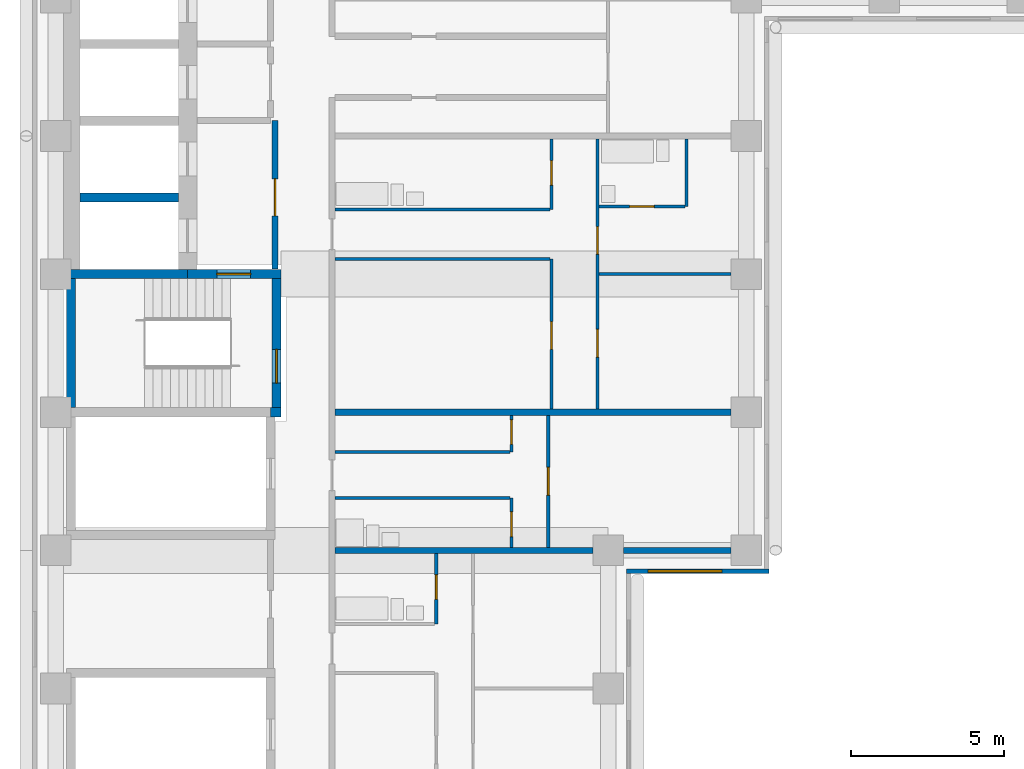
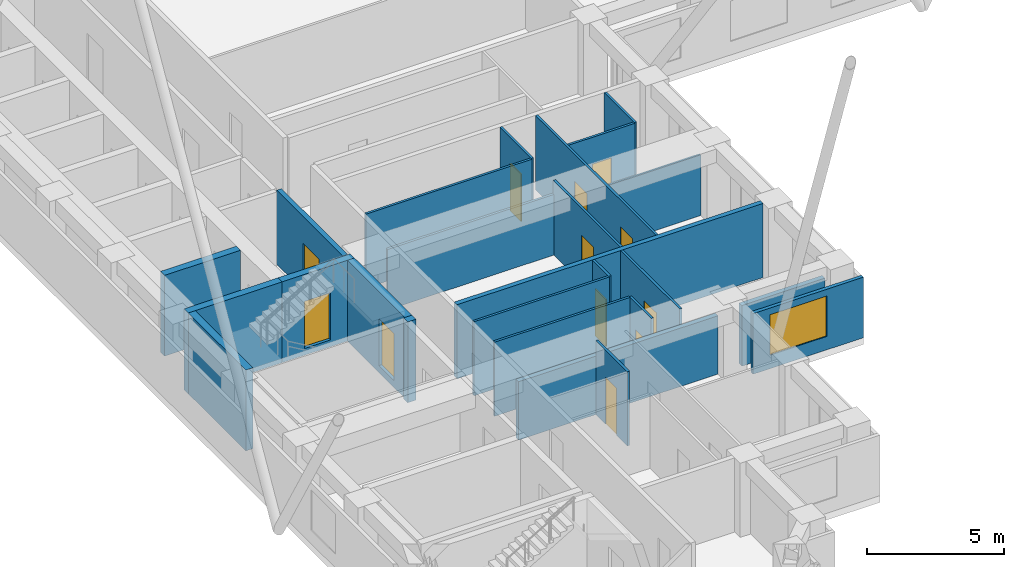
# One storey, part 4 of 13: 25 walls, 12 doors, 1 window, 13 openings.
"""IFC4 building model written with IfcOpenShell, lengths in metres."""

from ifc_helpers import new_model, si_unit, direction, frame, frame_2d, origin, place, context, subcontext, project, spatial, rectangle, extrude, material, layer, layer_set, type_object, element, fill, save


model = new_model("IFC4")

# Units and contexts
model_context = context("Model", 3, precision=1e-05, world=origin(), true_north=direction((0.0, 1.0)))
body_context = subcontext(model_context, "Body", "Model", "MODEL_VIEW")
ifc_project = project(units=[si_unit("LENGTHUNIT", "METRE"), si_unit("AREAUNIT", "SQUARE_METRE"), si_unit("VOLUMEUNIT", "CUBIC_METRE"), si_unit("PLANEANGLEUNIT", "RADIAN"), si_unit("MASSUNIT", "GRAM", prefix="KILO")], contexts=[model_context])

# Site, building, storey
site_placement = place(None, origin())
site = spatial("IfcSite", under=ifc_project, at=site_placement, CompositionType="ELEMENT")
building_placement = place(site_placement, origin())
building = spatial("IfcBuilding", under=site, at=building_placement, Name="Firuza Court", CompositionType="ELEMENT")
storey_placement = place(building_placement, frame((0.0, 0.0, 162.800048828125)))
storey = spatial("IfcBuildingStorey", under=building, at=storey_placement, Name="L41", CompositionType="ELEMENT", Elevation=162.800048828125)

# Walls
ifc_material_1 = material(Name="Moisture-resistant gypsum board partition")
ifc_layer_1 = layer(ifc_material_1, 0.10009765625)
ifc_layer_set_1 = layer_set([ifc_layer_1], Name="Moisture-resistant gypsum board partition")
wall_type_1 = type_object("IfcWallType", Name="Bathroom partition 100", PredefinedType="PLUMBINGWALL", material=ifc_layer_set_1)
wall_1_placement = place(storey_placement, frame((9.10009765625, 19.699951171875, 0.0), z_axis=(0.0, 0.0, 1.0), x_axis=(1.0, 0.0, 0.0)))
element("IfcWall", 1, at=wall_1_placement, inside=storey, type_object=wall_type_1, Name="Bathroom partition 100 L41", PredefinedType="PLUMBINGWALL", context=body_context, shape_type="SweptSolid", body=[
    extrude(rectangle(XDim=5.699951171875, YDim=0.10009765625, at=frame_2d((2.85009765625, 0.0))), origin(), (0.0, 0.0, 1.0), 3.300048828125),
])
wall_2_placement = place(storey_placement, frame((9.10009765625, 29.10009765625, 0.0), z_axis=(0.0, 0.0, 1.0), x_axis=(1.0, 0.0, 0.0)))
element("IfcWall", 2, at=wall_2_placement, inside=storey, type_object=wall_type_1, Name="Bathroom partition 100 L41", PredefinedType="PLUMBINGWALL", context=body_context, shape_type="SweptSolid", body=[
    extrude(rectangle(XDim=7.0, YDim=0.10009765625, at=frame_2d((3.5, 0.0))), origin(), (0.0, 0.0, 1.0), 3.300048828125),
])

# Wall, opening, door
wall_3_placement = place(storey_placement, frame((17.699951171875, 29.199951171875, 0.0), z_axis=(0.0, 0.0, 1.0), x_axis=(1.0, 0.0, 0.0)))
wall_3 = element("IfcWall", 3, at=wall_3_placement, inside=storey, type_object=wall_type_1, Name="Bathroom partition 100 L41", PredefinedType="PLUMBINGWALL", context=body_context, shape_type="SweptSolid", body=[
    extrude(rectangle(XDim=2.800048828125, YDim=0.10009765625, at=frame_2d((1.39990234375, 0.0))), origin(), (0.0, 0.0, 1.0), 3.300048828125),
])
opening_1_placement = place(wall_3_placement, frame((1.0, 0.0, 0.0)))
opening_1 = element("IfcOpeningElement", 4, at=opening_1_placement, cuts=wall_3, Name="Opening D41034", PredefinedType="OPENING", context=body_context, shape_type="SweptSolid", body=[
    extrude(rectangle(XDim=0.800048828125, YDim=2.10009765625, at=frame_2d((0.39990234375, 1.050048828125))), frame((0.0, 0.06201171875, 0.0), z_axis=(0.0, -1.0, 0.0), x_axis=(1.0, 0.0, 0.0)), (0.0, 0.0, 1.0), 0.1240234375),
])
ifc_material_2 = material(Name="Timber door leaf in hardwood frame", Category="wood")
door_type_1 = type_object("IfcDoorType", Name="Bathroom door 800", OperationType="SINGLE_SWING_LEFT", PredefinedType="DOOR", material=ifc_material_2)
door_1_placement = place(opening_1_placement, origin())
door_1 = element("IfcDoor", 5, at=door_1_placement, inside=storey, type_object=door_type_1, Name="En-suite door", OperationType="SINGLE_SWING_LEFT", OverallHeight=2.10009765625, OverallWidth=0.800048828125, PredefinedType="DOOR", context=body_context, shape_type="SweptSolid", body=[
    extrude(rectangle(XDim=0.800048828125, YDim=2.10009765625, at=frame_2d((0.39990234375, 1.050048828125))), frame((0.0, 0.02490234375, 0.0), z_axis=(0.0, -1.0, 0.0), x_axis=(1.0, 0.0, 0.0)), (0.0, 0.0, 1.0), 0.050048828125),
])
fill(opening_1, door_1)

# Walls
wall_4_placement = place(storey_placement, frame((20.550048828125, 29.199951171875, 0.0), z_axis=(0.0, 0.0, 1.0), x_axis=(0.0, 1.0, 0.0)))
element("IfcWall", 6, at=wall_4_placement, inside=storey, type_object=wall_type_1, Name="Bathroom partition 100 L41", PredefinedType="PLUMBINGWALL", context=body_context, shape_type="SweptSolid", body=[
    extrude(rectangle(XDim=2.199951171875, YDim=0.10009765625, at=frame_2d((1.10009765625, 0.0))), origin(), (0.0, 0.0, 1.0), 3.300048828125),
])
ifc_material_3 = material(Name="Concrete C60/75", Category="concrete")
ifc_layer_2 = layer(ifc_material_3, 0.300048828125)
ifc_layer_set_2 = layer_set([ifc_layer_2], Name="Concrete C60/75")
wall_type_2 = type_object("IfcWallType", Name="Core wall 300 C60/75", PredefinedType="SHEAR", material=ifc_layer_set_2)
wall_5_placement = place(storey_placement, frame((0.35009765625, 27.0, -0.300048828125), z_axis=(0.0, 0.0, 1.0), x_axis=(1.0, 0.0, 0.0)))
element("IfcWall", 7, at=wall_5_placement, inside=storey, type_object=wall_type_2, Name="Core wall lift shaft L41", PredefinedType="SHEAR", context=body_context, shape_type="SweptSolid", body=[
    extrude(rectangle(XDim=3.949951171875, YDim=0.300048828125, at=frame_2d((1.97509765625, 0.0))), origin(), (0.0, 0.0, 1.0), 3.60009765625),
])
wall_6_placement = place(storey_placement, frame((0.5, 22.64990234375, -0.300048828125), z_axis=(0.0, 0.0, 1.0), x_axis=(0.0, 1.0, 0.0)))
element("IfcWall", 8, at=wall_6_placement, inside=storey, type_object=wall_type_2, Name="Core wall stair L41", PredefinedType="SHEAR", context=body_context, shape_type="SweptSolid", body=[
    extrude(rectangle(XDim=4.2001953125, YDim=0.300048828125, at=frame_2d((2.10009765625, 0.0))), origin(), (0.0, 0.0, 1.0), 3.60009765625),
])
wall_7_placement = place(storey_placement, frame((0.800048828125, 29.5, -0.300048828125), z_axis=(0.0, 0.0, 1.0), x_axis=(1.0, 0.0, 0.0)))
element("IfcWall", 9, at=wall_7_placement, inside=storey, type_object=wall_type_2, Name="Core wall lift shaft L41", PredefinedType="SHEAR", context=body_context, shape_type="SweptSolid", body=[
    extrude(rectangle(XDim=3.199951171875, YDim=0.300048828125, at=frame_2d((1.60009765625, 0.0))), origin(), (0.0, 0.0, 1.0), 3.60009765625),
])

# Wall, opening, door
wall_8_placement = place(storey_placement, frame((4.300048828125, 27.0, -0.300048828125), z_axis=(0.0, 0.0, 1.0), x_axis=(1.0, 0.0, 0.0)))
wall_8 = element("IfcWall", 10, at=wall_8_placement, inside=storey, type_object=wall_type_2, Name="Core wall stair L41", PredefinedType="SHEAR", context=body_context, shape_type="SweptSolid", body=[
    extrude(rectangle(XDim=3.050048828125, YDim=0.300048828125, at=frame_2d((1.52490234375, 0.0))), origin(), (0.0, 0.0, 1.0), 3.60009765625),
])
opening_2_placement = place(wall_8_placement, frame((0.949951171875, 0.0, 0.300048828125)))
opening_2 = element("IfcOpeningElement", 11, at=opening_2_placement, cuts=wall_8, Name="Opening D41013", PredefinedType="OPENING", context=body_context, shape_type="SweptSolid", body=[
    extrude(rectangle(XDim=1.10009765625, YDim=2.10009765625, at=frame_2d((0.550048828125, 1.050048828125))), frame((0.0, 0.162109375, 0.0), z_axis=(0.0, -1.0, 0.0), x_axis=(1.0, 0.0, 0.0)), (0.0, 0.0, 1.0), 0.323974609375),
])
ifc_material_4 = material(Name="Timber door leaf in hardwood frame", Category="wood")
door_type_2 = type_object("IfcDoorType", Name="Stair door 1100", OperationType="SINGLE_SWING_LEFT", PredefinedType="DOOR", material=ifc_material_4)
door_2_placement = place(opening_2_placement, frame((1.10009765625, 0.0, 0.0), z_axis=(0.0, 0.0, 1.0), x_axis=(-1.0, 0.0, 0.0)))
door_2 = element("IfcDoor", 12, at=door_2_placement, inside=storey, type_object=door_type_2, Name="Fire-fighting lobby door", OperationType="SINGLE_SWING_LEFT", OverallHeight=2.10009765625, OverallWidth=1.10009765625, PredefinedType="DOOR", context=body_context, shape_type="SweptSolid", body=[
    extrude(rectangle(XDim=1.10009765625, YDim=2.10009765625, at=frame_2d((0.550048828125, 1.050048828125))), frame((0.0, 0.02490234375, 0.0), z_axis=(0.0, -1.0, 0.0), x_axis=(1.0, 0.0, 0.0)), (0.0, 0.0, 1.0), 0.050048828125),
])
fill(opening_2, door_2)

# Wall
wall_9_placement = place(storey_placement, frame((7.0, 22.5, -0.300048828125), z_axis=(0.0, 0.0, 1.0), x_axis=(1.0, 0.0, 0.0)))
element("IfcWall", 13, at=wall_9_placement, inside=storey, type_object=wall_type_2, Name="Core wall stair L41", PredefinedType="SHEAR", context=body_context, shape_type="SweptSolid", body=[
    extrude(rectangle(XDim=0.35009765625, YDim=0.300048828125, at=frame_2d((0.175048828125, 0.0))), origin(), (0.0, 0.0, 1.0), 3.60009765625),
])

# Wall, opening, door
wall_10_placement = place(storey_placement, frame((7.199951171875, 22.64990234375, -0.300048828125), z_axis=(0.0, 0.0, 1.0), x_axis=(0.0, 1.0, 0.0)))
wall_10 = element("IfcWall", 14, at=wall_10_placement, inside=storey, type_object=wall_type_2, Name="Core wall stair L41", PredefinedType="SHEAR", context=body_context, shape_type="SweptSolid", body=[
    extrude(rectangle(XDim=4.2001953125, YDim=0.300048828125, at=frame_2d((2.10009765625, 0.0))), origin(), (0.0, 0.0, 1.0), 3.60009765625),
])
opening_3_placement = place(wall_10_placement, frame((0.800048828125, 0.0, 0.300048828125)))
opening_3 = element("IfcOpeningElement", 15, at=opening_3_placement, cuts=wall_10, Name="Opening D41014", PredefinedType="OPENING", context=body_context, shape_type="SweptSolid", body=[
    extrude(rectangle(XDim=1.10009765625, YDim=2.10009765625, at=frame_2d((0.550048828125, 1.050048828125))), frame((0.0, 0.162109375, 0.0), z_axis=(0.0, -1.0, 0.0), x_axis=(1.0, 0.0, 0.0)), (0.0, 0.0, 1.0), 0.323974609375),
])
door_3_placement = place(opening_3_placement, origin())
door_3 = element("IfcDoor", 16, at=door_3_placement, inside=storey, type_object=door_type_2, Name="Stair door S2", OperationType="SINGLE_SWING_LEFT", OverallHeight=2.10009765625, OverallWidth=1.10009765625, PredefinedType="DOOR", context=body_context, shape_type="SweptSolid", body=[
    extrude(rectangle(XDim=1.10009765625, YDim=2.10009765625, at=frame_2d((0.550048828125, 1.050048828125))), frame((0.0, 0.02490234375, 0.0), z_axis=(0.0, -1.0, 0.0), x_axis=(1.0, 0.0, 0.0)), (0.0, 0.0, 1.0), 0.050048828125),
])
fill(opening_3, door_3)

ifc_material_5 = material(Name="Timber stud partition, plasterboard both sides", Category="wood")
ifc_layer_3 = layer(ifc_material_5, 0.10009765625)
ifc_layer_set_3 = layer_set([ifc_layer_3], Name="Timber stud partition, plasterboard both sides")
wall_type_3 = type_object("IfcWallType", Name="Partition wall 100", PredefinedType="PARTITIONING", material=ifc_layer_set_3)
wall_11_placement = place(storey_placement, frame((12.39990234375, 15.60009765625, 0.0), z_axis=(0.0, 0.0, 1.0), x_axis=(0.0, 1.0, 0.0)))
wall_11 = element("IfcWall", 17, at=wall_11_placement, inside=storey, type_object=wall_type_3, Name="Partition wall 100 L41", PredefinedType="PARTITIONING", context=body_context, shape_type="SweptSolid", body=[
    extrude(rectangle(XDim=2.2998046875, YDim=0.10009765625, at=frame_2d((1.14990234375, 0.0))), origin(), (0.0, 0.0, 1.0), 3.300048828125),
])
opening_4_placement = place(wall_11_placement, frame((0.800048828125, 0.0, 0.0)))
opening_4 = element("IfcOpeningElement", 18, at=opening_4_placement, cuts=wall_11, Name="Opening D41026", PredefinedType="OPENING", context=body_context, shape_type="SweptSolid", body=[
    extrude(rectangle(XDim=0.800048828125, YDim=2.10009765625, at=frame_2d((0.39990234375, 1.050048828125))), frame((0.0, 0.06201171875, 0.0), z_axis=(0.0, -1.0, 0.0), x_axis=(1.0, 0.0, 0.0)), (0.0, 0.0, 1.0), 0.1240234375),
])
door_4_placement = place(opening_4_placement, origin())
door_4 = element("IfcDoor", 19, at=door_4_placement, inside=storey, type_object=door_type_1, Name="Bathroom door", OperationType="SINGLE_SWING_LEFT", OverallHeight=2.10009765625, OverallWidth=0.800048828125, PredefinedType="DOOR", context=body_context, shape_type="SweptSolid", body=[
    extrude(rectangle(XDim=0.800048828125, YDim=2.10009765625, at=frame_2d((0.39990234375, 1.050048828125))), frame((0.0, 0.02490234375, 0.0), z_axis=(0.0, -1.0, 0.0), x_axis=(1.0, 0.0, 0.0)), (0.0, 0.0, 1.0), 0.050048828125),
])
fill(opening_4, door_4)

wall_12_placement = place(storey_placement, frame((14.85009765625, 18.10009765625, 0.0), z_axis=(0.0, 0.0, 1.0), x_axis=(0.0, 1.0, 0.0)))
wall_12 = element("IfcWall", 20, at=wall_12_placement, inside=storey, type_object=wall_type_3, Name="Partition wall 100 L41", PredefinedType="PARTITIONING", context=body_context, shape_type="SweptSolid", body=[
    extrude(rectangle(XDim=1.599853515625, YDim=0.10009765625, at=frame_2d((0.7998046875, 0.0))), origin(), (0.0, 0.0, 1.0), 3.300048828125),
])
opening_5_placement = place(wall_12_placement, frame((0.35009765625, 0.0, 0.0)))
opening_5 = element("IfcOpeningElement", 21, at=opening_5_placement, cuts=wall_12, Name="Opening D41027", PredefinedType="OPENING", context=body_context, shape_type="SweptSolid", body=[
    extrude(rectangle(XDim=0.800048828125, YDim=2.10009765625, at=frame_2d((0.39990234375, 1.050048828125))), frame((0.0, 0.06201171875, 0.0), z_axis=(0.0, -1.0, 0.0), x_axis=(1.0, 0.0, 0.0)), (0.0, 0.0, 1.0), 0.1240234375),
])
door_5_placement = place(opening_5_placement, origin())
door_5 = element("IfcDoor", 22, at=door_5_placement, inside=storey, type_object=door_type_1, Name="Bathroom door", OperationType="SINGLE_SWING_LEFT", OverallHeight=2.10009765625, OverallWidth=0.800048828125, PredefinedType="DOOR", context=body_context, shape_type="SweptSolid", body=[
    extrude(rectangle(XDim=0.800048828125, YDim=2.10009765625, at=frame_2d((0.39990234375, 1.050048828125))), frame((0.0, 0.02490234375, 0.0), z_axis=(0.0, -1.0, 0.0), x_axis=(1.0, 0.0, 0.0)), (0.0, 0.0, 1.0), 0.050048828125),
])
fill(opening_5, door_5)

wall_13_placement = place(storey_placement, frame((16.050048828125, 18.10009765625, 0.0), z_axis=(0.0, 0.0, 1.0), x_axis=(0.0, 1.0, 0.0)))
wall_13 = element("IfcWall", 23, at=wall_13_placement, inside=storey, type_object=wall_type_3, Name="Partition wall 100 L41", PredefinedType="PARTITIONING", context=body_context, shape_type="SweptSolid", body=[
    extrude(rectangle(XDim=4.2998046875, YDim=0.10009765625, at=frame_2d((2.14990234375, 0.0))), origin(), (0.0, 0.0, 1.0), 3.300048828125),
])
opening_6_placement = place(wall_13_placement, frame((1.699951171875, 0.0, 0.0)))
opening_6 = element("IfcOpeningElement", 24, at=opening_6_placement, cuts=wall_13, Name="Opening D41028", PredefinedType="OPENING", context=body_context, shape_type="SweptSolid", body=[
    extrude(rectangle(XDim=0.89990234375, YDim=2.10009765625, at=frame_2d((0.449951171875, 1.050048828125))), frame((0.0, 0.06201171875, 0.0), z_axis=(0.0, -1.0, 0.0), x_axis=(1.0, 0.0, 0.0)), (0.0, 0.0, 1.0), 0.1240234375),
])
ifc_material_6 = material(Name="Timber door leaf in hardwood frame", Category="wood")
door_type_3 = type_object("IfcDoorType", Name="Room door 900", OperationType="SINGLE_SWING_LEFT", PredefinedType="DOOR", material=ifc_material_6)
door_6_placement = place(opening_6_placement, frame((0.89990234375, 0.0, 0.0), z_axis=(0.0, 0.0, 1.0), x_axis=(-1.0, 0.0, 0.0)))
door_6 = element("IfcDoor", 25, at=door_6_placement, inside=storey, type_object=door_type_3, Name="Studio room door", OperationType="SINGLE_SWING_RIGHT", OverallHeight=2.10009765625, OverallWidth=0.89990234375, PredefinedType="DOOR", context=body_context, shape_type="SweptSolid", body=[
    extrude(rectangle(XDim=0.89990234375, YDim=2.10009765625, at=frame_2d((0.449951171875, 1.050048828125))), frame((0.0, 0.02490234375, 0.0), z_axis=(0.0, -1.0, 0.0), x_axis=(1.0, 0.0, 0.0)), (0.0, 0.0, 1.0), 0.050048828125),
])
fill(opening_6, door_6)

# Wall
wall_14_placement = place(storey_placement, frame((9.10009765625, 21.199951171875, 0.0), z_axis=(0.0, 0.0, 1.0), x_axis=(1.0, 0.0, 0.0)))
element("IfcWall", 26, at=wall_14_placement, inside=storey, type_object=wall_type_3, Name="Partition wall 100 L41", PredefinedType="PARTITIONING", context=body_context, shape_type="SweptSolid", body=[
    extrude(rectangle(XDim=5.699951171875, YDim=0.10009765625, at=frame_2d((2.85009765625, 0.0))), origin(), (0.0, 0.0, 1.0), 3.300048828125),
])

# Wall, opening, door
wall_15_placement = place(storey_placement, frame((14.85009765625, 21.199951171875, 0.0), z_axis=(0.0, 0.0, 1.0), x_axis=(0.0, 1.0, 0.0)))
wall_15 = element("IfcWall", 27, at=wall_15_placement, inside=storey, type_object=wall_type_3, Name="Partition wall 100 L41", PredefinedType="PARTITIONING", context=body_context, shape_type="SweptSolid", body=[
    extrude(rectangle(XDim=1.199951171875, YDim=0.10009765625, at=frame_2d((0.60009765625, 0.0))), origin(), (0.0, 0.0, 1.0), 3.300048828125),
])
opening_7_placement = place(wall_15_placement, frame((0.25, 0.0, 0.0)))
opening_7 = element("IfcOpeningElement", 28, at=opening_7_placement, cuts=wall_15, Name="Opening D41029", PredefinedType="OPENING", context=body_context, shape_type="SweptSolid", body=[
    extrude(rectangle(XDim=0.800048828125, YDim=2.10009765625, at=frame_2d((0.39990234375, 1.050048828125))), frame((0.0, 0.06201171875, 0.0), z_axis=(0.0, -1.0, 0.0), x_axis=(1.0, 0.0, 0.0)), (0.0, 0.0, 1.0), 0.1240234375),
])
ifc_material_7 = material(Name="Timber door leaf in hardwood frame", Category="wood")
door_type_4 = type_object("IfcDoorType", Name="Room door 800", OperationType="SINGLE_SWING_LEFT", PredefinedType="DOOR", material=ifc_material_7)
door_7_placement = place(opening_7_placement, origin())
door_7 = element("IfcDoor", 29, at=door_7_placement, inside=storey, type_object=door_type_4, Name="Kitchen door", OperationType="SINGLE_SWING_LEFT", OverallHeight=2.10009765625, OverallWidth=0.800048828125, PredefinedType="DOOR", context=body_context, shape_type="SweptSolid", body=[
    extrude(rectangle(XDim=0.800048828125, YDim=2.10009765625, at=frame_2d((0.39990234375, 1.050048828125))), frame((0.0, 0.02490234375, 0.0), z_axis=(0.0, -1.0, 0.0), x_axis=(1.0, 0.0, 0.0)), (0.0, 0.0, 1.0), 0.050048828125),
])
fill(opening_7, door_7)

wall_16_placement = place(storey_placement, frame((16.14990234375, 22.60009765625, 0.0), z_axis=(0.0, 0.0, 1.0), x_axis=(0.0, 1.0, 0.0)))
wall_16 = element("IfcWall", 30, at=wall_16_placement, inside=storey, type_object=wall_type_3, Name="Partition wall 100 L41", PredefinedType="PARTITIONING", context=body_context, shape_type="SweptSolid", body=[
    extrude(rectangle(XDim=4.89990234375, YDim=0.10009765625, at=frame_2d((2.449951171875, 0.0))), origin(), (0.0, 0.0, 1.0), 3.300048828125),
])
opening_8_placement = place(wall_16_placement, frame((1.949951171875, 0.0, 0.0)))
opening_8 = element("IfcOpeningElement", 31, at=opening_8_placement, cuts=wall_16, Name="Opening D41030", PredefinedType="OPENING", context=body_context, shape_type="SweptSolid", body=[
    extrude(rectangle(XDim=0.89990234375, YDim=2.10009765625, at=frame_2d((0.449951171875, 1.050048828125))), frame((0.0, 0.06201171875, 0.0), z_axis=(0.0, -1.0, 0.0), x_axis=(1.0, 0.0, 0.0)), (0.0, 0.0, 1.0), 0.1240234375),
])
door_8_placement = place(opening_8_placement, origin())
door_8 = element("IfcDoor", 32, at=door_8_placement, inside=storey, type_object=door_type_3, Name="Kitchen door", OperationType="SINGLE_SWING_LEFT", OverallHeight=2.10009765625, OverallWidth=0.89990234375, PredefinedType="DOOR", context=body_context, shape_type="SweptSolid", body=[
    extrude(rectangle(XDim=0.89990234375, YDim=2.10009765625, at=frame_2d((0.449951171875, 1.050048828125))), frame((0.0, 0.02490234375, 0.0), z_axis=(0.0, -1.0, 0.0), x_axis=(1.0, 0.0, 0.0)), (0.0, 0.0, 1.0), 0.050048828125),
])
fill(opening_8, door_8)

# Wall, openings, doors
wall_17_placement = place(storey_placement, frame((17.64990234375, 22.60009765625, 0.0), z_axis=(0.0, 0.0, 1.0), x_axis=(0.0, 1.0, 0.0)))
wall_17 = element("IfcWall", 33, at=wall_17_placement, inside=storey, type_object=wall_type_3, Name="Partition wall 100 L41", PredefinedType="PARTITIONING", context=body_context, shape_type="SweptSolid", body=[
    extrude(rectangle(XDim=8.7998046875, YDim=0.10009765625, at=frame_2d((4.39990234375, 0.0))), origin(), (0.0, 0.0, 1.0), 3.300048828125),
])
opening_9_placement = place(wall_17_placement, frame((1.699951171875, 0.0, 0.0)))
opening_9 = element("IfcOpeningElement", 34, at=opening_9_placement, cuts=wall_17, Name="Opening D41031", PredefinedType="OPENING", context=body_context, shape_type="SweptSolid", body=[
    extrude(rectangle(XDim=0.89990234375, YDim=2.10009765625, at=frame_2d((0.449951171875, 1.050048828125))), frame((0.0, 0.06201171875, 0.0), z_axis=(0.0, -1.0, 0.0), x_axis=(1.0, 0.0, 0.0)), (0.0, 0.0, 1.0), 0.1240234375),
])
opening_10_placement = place(wall_17_placement, frame((5.050048828125, 0.0, 0.0)))
opening_10 = element("IfcOpeningElement", 35, at=opening_10_placement, cuts=wall_17, Name="Opening D41032", PredefinedType="OPENING", context=body_context, shape_type="SweptSolid", body=[
    extrude(rectangle(XDim=0.89990234375, YDim=2.10009765625, at=frame_2d((0.449951171875, 1.050048828125))), frame((0.0, 0.06201171875, 0.0), z_axis=(0.0, -1.0, 0.0), x_axis=(1.0, 0.0, 0.0)), (0.0, 0.0, 1.0), 0.1240234375),
])
door_9_placement = place(opening_9_placement, frame((0.89990234375, 0.0, 0.0), z_axis=(0.0, 0.0, 1.0), x_axis=(-1.0, 0.0, 0.0)))
door_9 = element("IfcDoor", 36, at=door_9_placement, inside=storey, type_object=door_type_3, Name="Living room door", OperationType="SINGLE_SWING_RIGHT", OverallHeight=2.10009765625, OverallWidth=0.89990234375, PredefinedType="DOOR", context=body_context, shape_type="SweptSolid", body=[
    extrude(rectangle(XDim=0.89990234375, YDim=2.10009765625, at=frame_2d((0.449951171875, 1.050048828125))), frame((0.0, 0.02490234375, 0.0), z_axis=(0.0, -1.0, 0.0), x_axis=(1.0, 0.0, 0.0)), (0.0, 0.0, 1.0), 0.050048828125),
])
fill(opening_9, door_9)
door_10_placement = place(opening_10_placement, frame((0.89990234375, 0.0, 0.0), z_axis=(0.0, 0.0, 1.0), x_axis=(-1.0, 0.0, 0.0)))
door_10 = element("IfcDoor", 37, at=door_10_placement, inside=storey, type_object=door_type_3, Name="Bedroom door", OperationType="SINGLE_SWING_RIGHT", OverallHeight=2.10009765625, OverallWidth=0.89990234375, PredefinedType="DOOR", context=body_context, shape_type="SweptSolid", body=[
    extrude(rectangle(XDim=0.89990234375, YDim=2.10009765625, at=frame_2d((0.449951171875, 1.050048828125))), frame((0.0, 0.02490234375, 0.0), z_axis=(0.0, -1.0, 0.0), x_axis=(1.0, 0.0, 0.0)), (0.0, 0.0, 1.0), 0.050048828125),
])
fill(opening_10, door_10)

# Walls
wall_18_placement = place(storey_placement, frame((17.699951171875, 27.0, 0.0), z_axis=(0.0, 0.0, 1.0), x_axis=(1.0, 0.0, 0.0)))
element("IfcWall", 38, at=wall_18_placement, inside=storey, type_object=wall_type_3, Name="Partition wall 100 L41", PredefinedType="PARTITIONING", context=body_context, shape_type="SweptSolid", body=[
    extrude(rectangle(XDim=4.300048828125, YDim=0.10009765625, at=frame_2d((2.14990234375, 0.0))), origin(), (0.0, 0.0, 1.0), 2.699951171875),
])
wall_19_placement = place(storey_placement, frame((9.10009765625, 27.5, 0.0), z_axis=(0.0, 0.0, 1.0), x_axis=(1.0, 0.0, 0.0)))
element("IfcWall", 39, at=wall_19_placement, inside=storey, type_object=wall_type_3, Name="Partition wall 100 L41", PredefinedType="PARTITIONING", context=body_context, shape_type="SweptSolid", body=[
    extrude(rectangle(XDim=7.0, YDim=0.10009765625, at=frame_2d((3.5, 0.0))), origin(), (0.0, 0.0, 1.0), 2.699951171875),
])

# Wall, opening, door
wall_20_placement = place(storey_placement, frame((16.14990234375, 29.10009765625, 0.0), z_axis=(0.0, 0.0, 1.0), x_axis=(0.0, 1.0, 0.0)))
wall_20 = element("IfcWall", 40, at=wall_20_placement, inside=storey, type_object=wall_type_3, Name="Partition wall 100 L41", PredefinedType="PARTITIONING", context=body_context, shape_type="SweptSolid", body=[
    extrude(rectangle(XDim=2.2998046875, YDim=0.10009765625, at=frame_2d((1.14990234375, 0.0))), origin(), (0.0, 0.0, 1.0), 3.300048828125),
])
opening_11_placement = place(wall_20_placement, frame((0.800048828125, 0.0, 0.0)))
opening_11 = element("IfcOpeningElement", 41, at=opening_11_placement, cuts=wall_20, Name="Opening D41033", PredefinedType="OPENING", context=body_context, shape_type="SweptSolid", body=[
    extrude(rectangle(XDim=0.800048828125, YDim=2.10009765625, at=frame_2d((0.39990234375, 1.050048828125))), frame((0.0, 0.06201171875, 0.0), z_axis=(0.0, -1.0, 0.0), x_axis=(1.0, 0.0, 0.0)), (0.0, 0.0, 1.0), 0.1240234375),
])
door_11_placement = place(opening_11_placement, origin())
door_11 = element("IfcDoor", 42, at=door_11_placement, inside=storey, type_object=door_type_1, Name="Bathroom door", OperationType="SINGLE_SWING_LEFT", OverallHeight=2.10009765625, OverallWidth=0.800048828125, PredefinedType="DOOR", context=body_context, shape_type="SweptSolid", body=[
    extrude(rectangle(XDim=0.800048828125, YDim=2.10009765625, at=frame_2d((0.39990234375, 1.050048828125))), frame((0.0, 0.02490234375, 0.0), z_axis=(0.0, -1.0, 0.0), x_axis=(1.0, 0.0, 0.0)), (0.0, 0.0, 1.0), 0.050048828125),
])
fill(opening_11, door_11)

# Walls
ifc_material_8 = material(Name="Blockwork, plastered both sides", Category="masonry")
ifc_layer_4 = layer(ifc_material_8, 0.199951171875)
ifc_layer_set_4 = layer_set([ifc_layer_4], Name="Blockwork, plastered both sides")
wall_type_4 = type_object("IfcWallType", Name="Party wall 200", PredefinedType="PARTITIONING", material=ifc_layer_set_4)
wall_21_placement = place(storey_placement, frame((9.10009765625, 18.0, 0.0), z_axis=(0.0, 0.0, 1.0), x_axis=(1.0, 0.0, 0.0)))
element("IfcWall", 43, at=wall_21_placement, inside=storey, type_object=wall_type_4, Name="Party wall 200 L41", PredefinedType="PARTITIONING", context=body_context, shape_type="SweptSolid", body=[
    extrude(rectangle(XDim=8.39990234375, YDim=0.199951171875, at=frame_2d((4.199951171875, 0.0))), origin(), (0.0, 0.0, 1.0), 2.599853515625),
])
wall_22_placement = place(storey_placement, frame((18.5, 18.0, 0.0), z_axis=(0.0, 0.0, 1.0), x_axis=(1.0, 0.0, 0.0)))
element("IfcWall", 44, at=wall_22_placement, inside=storey, type_object=wall_type_4, Name="Party wall 200 L41", PredefinedType="PARTITIONING", context=body_context, shape_type="SweptSolid", body=[
    extrude(rectangle(XDim=3.5, YDim=0.199951171875, at=frame_2d((1.75, 0.0))), origin(), (0.0, 0.0, 1.0), 2.699951171875),
])
wall_23_placement = place(storey_placement, frame((9.10009765625, 22.5, 0.0), z_axis=(0.0, 0.0, 1.0), x_axis=(1.0, 0.0, 0.0)))
element("IfcWall", 45, at=wall_23_placement, inside=storey, type_object=wall_type_4, Name="Party wall 200 L41", PredefinedType="PARTITIONING", context=body_context, shape_type="SweptSolid", body=[
    extrude(rectangle(XDim=12.89990234375, YDim=0.199951171875, at=frame_2d((6.449951171875, 0.0))), origin(), (0.0, 0.0, 1.0), 3.300048828125),
])

# Wall, opening, window
ifc_material_9 = material(Name="Ceramic tile", Category="ceramic")
ifc_layer_5 = layer(ifc_material_9, 0.02001953125)
ifc_material_10 = material(Name="Mineral wool insulation", Category="insulation")
ifc_layer_6 = layer(ifc_material_10, 0.050048828125)
ifc_material_11 = material(Name="Concrete C40/50 precast", Category="concrete")
ifc_layer_7 = layer(ifc_material_11, 0.080078125)
ifc_layer_set_5 = layer_set([ifc_layer_5, ifc_layer_6, ifc_layer_7], Name="Concrete C40/50 precast")
wall_type_5 = type_object("IfcWallType", Name="Precast cladding wall with turquoise TILE PANEL face 150", PredefinedType="STANDARD", material=ifc_layer_set_5)
wall_24_placement = place(storey_placement, frame((18.60009765625, 17.324951171875, 0.0), z_axis=(0.0, 0.0, 1.0), x_axis=(1.0, 0.0, 0.0)))
wall_24 = element("IfcWall", 46, at=wall_24_placement, inside=storey, type_object=wall_type_5, Name="Facade wall L41 S", PredefinedType="STANDARD", context=body_context, shape_type="SweptSolid", body=[
    extrude(rectangle(XDim=4.64990234375, YDim=0.14990234375, at=frame_2d((2.324951171875, 0.0))), origin(), (0.0, 0.0, 1.0), 2.699951171875),
])
opening_12_placement = place(wall_24_placement, frame((0.705810546875, 0.0, 0.60009765625)))
opening_12 = element("IfcOpeningElement", 47, at=opening_12_placement, cuts=wall_24, Name="Opening W1", PredefinedType="OPENING", context=body_context, shape_type="SweptSolid", body=[
    extrude(rectangle(XDim=2.39990234375, YDim=1.800048828125, at=frame_2d((1.199951171875, 0.89990234375))), frame((0.0, 0.0869140625, 0.0), z_axis=(0.0, -1.0, 0.0), x_axis=(1.0, 0.0, 0.0)), (0.0, 0.0, 1.0), 0.173828125),
])
ifc_material_12 = material(Name="Aluminium frame, triple clear glazing", Category="aluminium")
window_type = type_object("IfcWindowType", Name="Window W1 2400 x 1800", PartitioningType="SINGLE_PANEL", PredefinedType="WINDOW", material=ifc_material_12)
window_placement = place(opening_12_placement, origin())
window = element("IfcWindow", 48, at=window_placement, inside=storey, type_object=window_type, Name="Window L41", OverallHeight=1.800048828125, OverallWidth=2.39990234375, PartitioningType="SINGLE_PANEL", PredefinedType="WINDOW", context=body_context, shape_type="SweptSolid", body=[
    extrude(rectangle(XDim=2.39990234375, YDim=1.800048828125, at=frame_2d((1.199951171875, 0.89990234375))), frame((0.0, 0.030029296875, 0.0), z_axis=(0.0, -1.0, 0.0), x_axis=(1.0, 0.0, 0.0)), (0.0, 0.0, 1.0), 0.06005859375),
])
fill(opening_12, window)

# Wall, opening, door
ifc_material_13 = material(Name="Blockwork, fire-rated", Category="masonry")
ifc_layer_8 = layer(ifc_material_13, 0.199951171875)
ifc_layer_set_6 = layer_set([ifc_layer_8], Name="Blockwork, fire-rated")
wall_type_6 = type_object("IfcWallType", Name="Shaft wall 200", PredefinedType="PARTITIONING", material=ifc_layer_set_6)
wall_25_placement = place(storey_placement, frame((7.14990234375, 27.169921875, 0.0), z_axis=(0.0, 0.0, 1.0), x_axis=(0.0, 1.0, 0.0)))
wall_25 = element("IfcWall", 49, at=wall_25_placement, inside=storey, type_object=wall_type_6, Name="Shaft wall 200 L41", PredefinedType="PARTITIONING", context=body_context, shape_type="SweptSolid", body=[
    extrude(rectangle(XDim=4.830078125, YDim=0.199951171875, at=frame_2d((2.4150390625, 0.0))), origin(), (0.0, 0.0, 1.0), 3.300048828125),
])
opening_13_placement = place(wall_25_placement, frame((1.72998046875, 0.0, 0.0)))
opening_13 = element("IfcOpeningElement", 50, at=opening_13_placement, cuts=wall_25, Name="Opening D41002", PredefinedType="OPENING", context=body_context, shape_type="SweptSolid", body=[
    extrude(rectangle(XDim=1.199951171875, YDim=2.10009765625, at=frame_2d((0.60009765625, 1.050048828125))), frame((0.0, 0.11181640625, 0.0), z_axis=(0.0, -1.0, 0.0), x_axis=(1.0, 0.0, 0.0)), (0.0, 0.0, 1.0), 0.223876953125),
])
ifc_material_14 = material(Name="Timber door leaf in hardwood frame", Category="wood")
door_type_5 = type_object("IfcDoorType", Name="Lobby door 1200", OperationType="SINGLE_SWING_LEFT", PredefinedType="DOOR", material=ifc_material_14)
door_12_placement = place(opening_13_placement, origin())
door_12 = element("IfcDoor", 51, at=door_12_placement, inside=storey, type_object=door_type_5, Name="Fire-fighting lobby door", OperationType="SINGLE_SWING_LEFT", OverallHeight=2.10009765625, OverallWidth=1.199951171875, PredefinedType="DOOR", context=body_context, shape_type="SweptSolid", body=[
    extrude(rectangle(XDim=1.199951171875, YDim=2.10009765625, at=frame_2d((0.60009765625, 1.050048828125))), frame((0.0, 0.02490234375, 0.0), z_axis=(0.0, -1.0, 0.0), x_axis=(1.0, 0.0, 0.0)), (0.0, 0.0, 1.0), 0.050048828125),
])
fill(opening_13, door_12)

save(model, "model.ifc")
